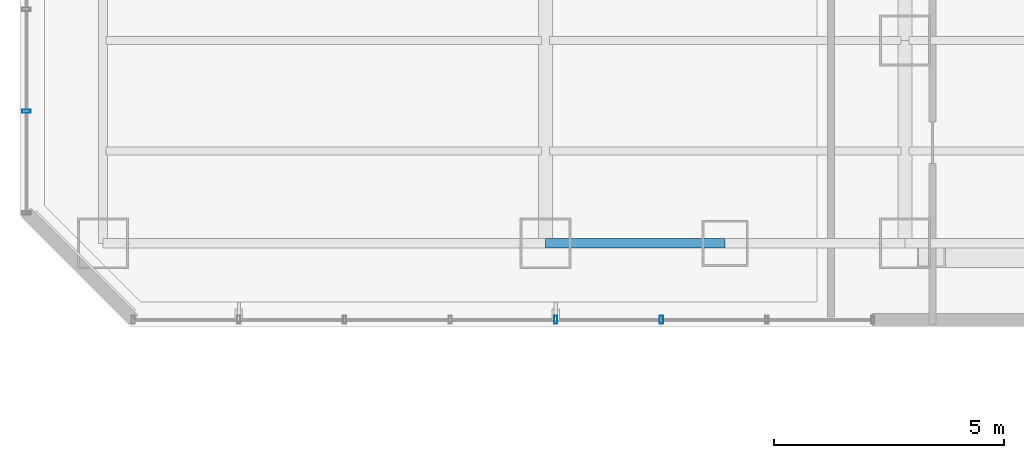
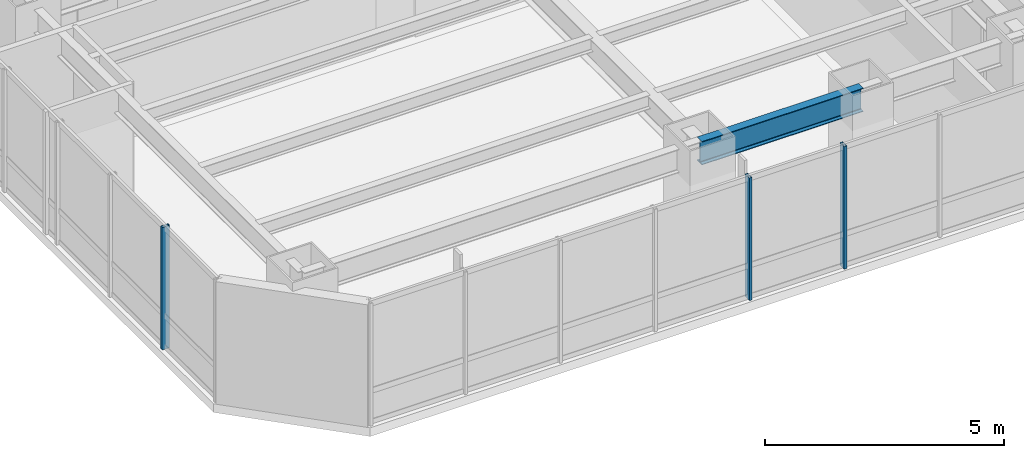
# One storey, part 4 of 33: 3 members, 1 beam, 2 elements without a shape of their own.
"""IFC4 building model written with IfcOpenShell, lengths in metres."""

from ifc_helpers import new_model, si_unit, direction, frame, origin, origin_2d, place, context, subcontext, project, spatial, hollow_rectangle, i_section, extrude, material, layer, layer_set, material_profile, profile_set, type_object, element, aggregate, save


model = new_model("IFC4")

# Units and contexts
model_context = context("Model", 3, precision=1e-05, world=origin(), true_north=direction((0.0, 1.0)))
body_context = subcontext(model_context, "Body", "Model", "MODEL_VIEW")
ifc_project = project(units=[si_unit("LENGTHUNIT", "METRE"), si_unit("AREAUNIT", "SQUARE_METRE"), si_unit("VOLUMEUNIT", "CUBIC_METRE"), si_unit("PLANEANGLEUNIT", "RADIAN"), si_unit("MASSUNIT", "GRAM", prefix="KILO")], contexts=[model_context])

# Site, building, storey
site_placement = place(None, origin())
site = spatial("IfcSite", under=ifc_project, at=site_placement, CompositionType="ELEMENT")
building_placement = place(site_placement, origin())
building = spatial("IfcBuilding", under=site, at=building_placement, Name="Hatsunagi Terrace Concourse", CompositionType="ELEMENT")
storey_placement = place(building_placement, frame((0.0, 0.0, 56.699951171875)))
storey = spatial("IfcBuildingStorey", under=building, at=storey_placement, Name="L14", CompositionType="ELEMENT", Elevation=56.699951171875)

# Curtain wall, members
ifc_material_1 = material(Name="Anodised Aluminium Alloy 6063-T5", Category="aluminium")
ifc_layer = layer(ifc_material_1, 0.199951171875)
ifc_layer_set = layer_set([ifc_layer], Name="HotelFacade_CW02")
curtain_wall_type = type_object("IfcCurtainWallType", Name="HotelFacade_CW02", PredefinedType="NOTDEFINED", material=ifc_layer_set)
curtain_wall_1_placement = place(storey_placement, origin())
curtain_wall_1 = element("IfcCurtainWall", 1, at=curtain_wall_1_placement, inside=storey, type_object=curtain_wall_type, Name="Unitised Curtain Wall CW-02 CW-L14-07", PredefinedType="NOTDEFINED")
ifc_material_2 = material(Name="Anodised Aluminium Alloy 6063-T5", Category="aluminium")
ifc_material_profile_1 = material_profile(ifc_material_2, hollow_rectangle(XDim=0.070068359375, YDim=0.179931640625, WallThickness=0.00390625, at=origin_2d()), Name="ALU-MUL-180x70x4")
ifc_profile_set_1 = profile_set([ifc_material_profile_1], Name="Anodised Aluminium Alloy 6063-T5")
member_type = type_object("IfcMemberType", Name="CurtainWallMullion_180x70", PredefinedType="MULLION", material=ifc_profile_set_1)
member_1_placement = place(storey_placement, frame((13.9169921875, 23.5400390625, 0.0), z_axis=(0.0, 0.0, 1.0), x_axis=(-1.0, 0.0, 0.0)))
member_1 = element("IfcMember", 2, at=member_1_placement, type_object=member_type, Name="Curtain Wall Mullion MUL-02", PredefinedType="MULLION", context=body_context, shape_type="SweptSolid", body=[
    extrude(hollow_rectangle(XDim=0.070068359375, YDim=0.179931640625, WallThickness=0.00390625, at=origin_2d()), origin(), (0.0, 0.0, 1.0), 3.130126953125),
])
member_2_placement = place(storey_placement, frame((11.625, 23.5400390625, 0.0), z_axis=(0.0, 0.0, 1.0), x_axis=(-1.0, 0.0, 0.0)))
member_2 = element("IfcMember", 3, at=member_2_placement, type_object=member_type, Name="Curtain Wall Mullion MUL-02", PredefinedType="MULLION", context=body_context, shape_type="SweptSolid", body=[
    extrude(hollow_rectangle(XDim=0.070068359375, YDim=0.179931640625, WallThickness=0.00390625, at=origin_2d()), origin(), (0.0, 0.0, 1.0), 3.130126953125),
])
aggregate(curtain_wall_1, [member_1, member_2])

# Curtain wall, member
curtain_wall_2_placement = place(storey_placement, origin())
curtain_wall_2 = element("IfcCurtainWall", 4, at=curtain_wall_2_placement, inside=storey, type_object=curtain_wall_type, Name="Unitised Curtain Wall CW-02 CW-L14-09", PredefinedType="NOTDEFINED")
member_3_placement = place(storey_placement, frame((0.139892578125, 28.06591796875, 0.0), z_axis=(0.0, 0.0, 1.0), x_axis=(0.0, 1.0, 0.0)))
member_3 = element("IfcMember", 5, at=member_3_placement, type_object=member_type, Name="Curtain Wall Mullion MUL-02", PredefinedType="MULLION", context=body_context, shape_type="SweptSolid", body=[
    extrude(hollow_rectangle(XDim=0.070068359375, YDim=0.179931640625, WallThickness=0.00390625, at=origin_2d()), origin(), (0.0, 0.0, 1.0), 3.130126953125),
])
aggregate(curtain_wall_2, [member_3])

# Beam
ifc_material_3 = material(Name="Steel SN490B", Category="steel")
ifc_material_profile_2 = material_profile(ifc_material_3, i_section(OverallWidth=0.199951171875, OverallDepth=0.60009765625, WebThickness=0.010986328125, FlangeThickness=0.01708984375, FilletRadius=0.01806640625, at=origin_2d()), Name="H-600x200x11x17")
ifc_profile_set_2 = profile_set([ifc_material_profile_2], Name="Steel SN490B")
beam_type = type_object("IfcBeamType", Name="PerimeterSpandrel_H_600x200", PredefinedType="SPANDREL", material=ifc_profile_set_2)
beam_placement = place(storey_placement, frame((11.39990234375, 25.199951171875, 2.830078125), z_axis=(1.0, 0.0, 0.0), x_axis=(0.0, 1.0, 0.0)))
element("IfcBeam", 6, at=beam_placement, inside=storey, type_object=beam_type, Name="Beam SP-01 BM-L14-WS-11", PredefinedType="SPANDREL", context=body_context, shape_type="SweptSolid", body=[
    extrude(i_section(OverallWidth=0.199951171875, OverallDepth=0.60009765625, WebThickness=0.010986328125, FlangeThickness=0.01708984375, FilletRadius=0.01806640625, at=origin_2d()), origin(), (0.0, 0.0, 1.0), 3.900146484375),
])

save(model, "model.ifc")
